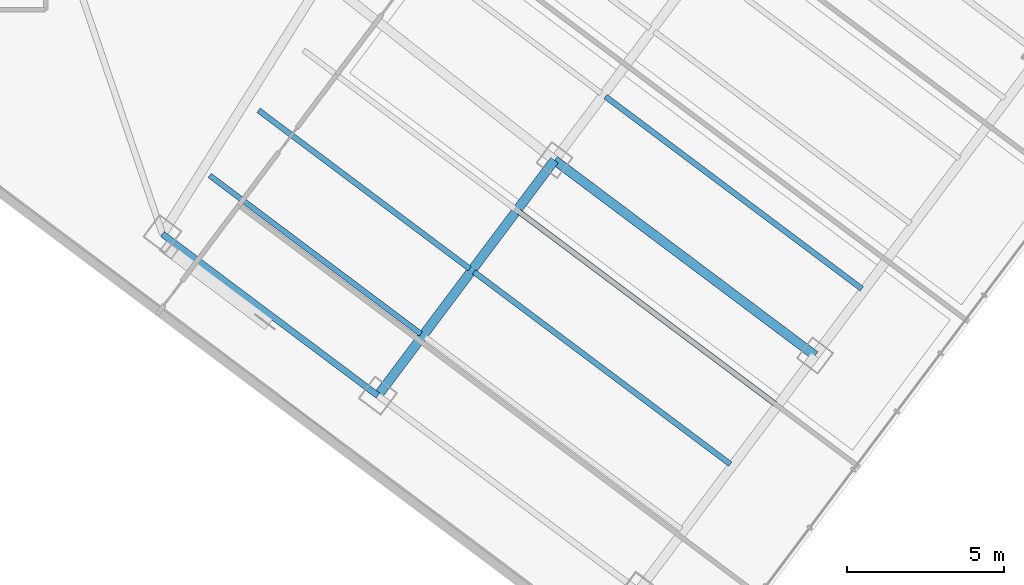
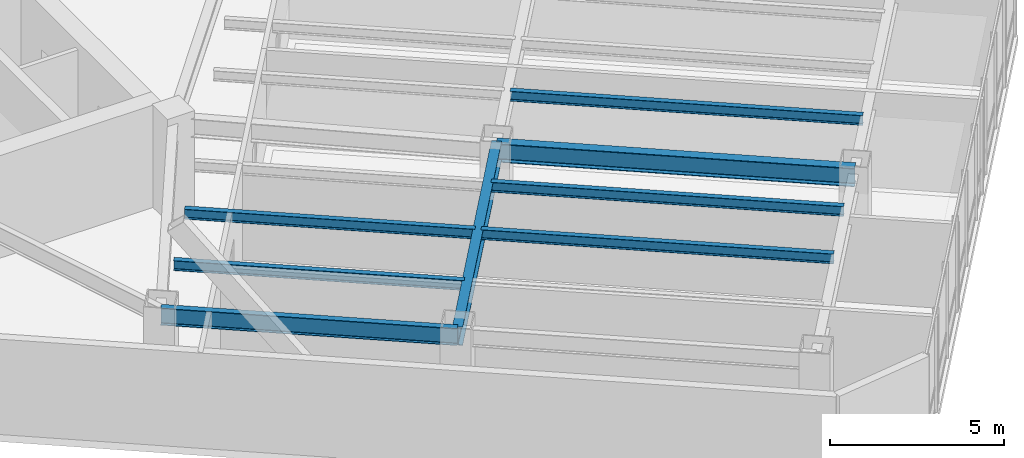
# One storey, part 7 of 31: 8 beams.
"""IFC4 building model written with IfcOpenShell, lengths in metres."""

from ifc_helpers import new_model, si_unit, direction, frame, origin, origin_2d, place, context, subcontext, project, spatial, i_section, extrude, material, material_profile, profile_set, type_object, element, save


model = new_model("IFC4")

# Units and contexts
model_context = context("Model", 3, precision=1e-05, world=origin(), true_north=direction((0.0, 1.0)))
body_context = subcontext(model_context, "Body", "Model", "MODEL_VIEW")
ifc_project = project(units=[si_unit("LENGTHUNIT", "METRE"), si_unit("AREAUNIT", "SQUARE_METRE"), si_unit("VOLUMEUNIT", "CUBIC_METRE"), si_unit("PLANEANGLEUNIT", "RADIAN"), si_unit("MASSUNIT", "GRAM", prefix="KILO")], contexts=[model_context])

# Site, building, storey
site_placement = place(None, origin())
site = spatial("IfcSite", under=ifc_project, at=site_placement, CompositionType="ELEMENT")
building_placement = place(site_placement, origin())
building = spatial("IfcBuilding", under=site, at=building_placement, Name="Hatsunagi Terrace Concourse", CompositionType="ELEMENT")
storey_placement = place(building_placement, frame((0.0, 0.0, 122.85009765625)))
storey = spatial("IfcBuildingStorey", under=building, at=storey_placement, Name="L32", CompositionType="ELEMENT", Elevation=122.85009765625)

# Beams
ifc_material_1 = material(Name="Steel SN490B", Category="steel")
ifc_material_profile_1 = material_profile(ifc_material_1, i_section(OverallWidth=0.175048828125, OverallDepth=0.35009765625, WebThickness=0.007080078125, FlangeThickness=0.010986328125, FilletRadius=0.012939453125, at=origin_2d()), Name="H-350x175x7x11")
ifc_profile_set_1 = profile_set([ifc_material_profile_1], Name="Steel SN490B")
beam_type_1 = type_object("IfcBeamType", Name="HotelJoist_H_350x175", PredefinedType="JOIST", material=ifc_profile_set_1)
for number, where, z_axis, x_axis, name in (
    (1, (40.18798828125, 17.908935546875, 3.1748046875), (0.800003475366, -0.59999536615, 0.0), (0.59999536615, 0.800003475366, 0.0), "Beam J-02 J-L32-SE-2-46"),
    (2, (41.748046875, 19.989013671875, 3.1748046875), (0.799989573921, -0.600013901187, 0.0), (0.600013901187, 0.799989573921, 0.0), "Beam J-02 J-L32-SE-2-72"),
):
    element("IfcBeam", number, at=place(storey_placement, frame(where, z_axis=z_axis, x_axis=x_axis)), inside=storey, type_object=beam_type_1, Name=name, PredefinedType="JOIST", context=body_context, shape_type="SweptSolid", body=[
        extrude(i_section(OverallWidth=0.175048828125, OverallDepth=0.35009765625, WebThickness=0.007080078125, FlangeThickness=0.010986328125, FilletRadius=0.012939453125, at=origin_2d()), origin(), (0.0, 0.0, 1.0), 8.429931640625),
    ])
beam_1_placement = place(storey_placement, frame((48.6279296875, 14.8291015625, 3.1748046875), z_axis=(0.799994272423, -0.600007636694, 0.0), x_axis=(0.600007636694, 0.799994272423, 0.0)))
element("IfcBeam", 3, at=beam_1_placement, inside=storey, type_object=beam_type_1, Name="Beam J-02 J-L32-SE-3-72", PredefinedType="JOIST", context=body_context, shape_type="SweptSolid", body=[
    extrude(i_section(OverallWidth=0.175048828125, OverallDepth=0.35009765625, WebThickness=0.007080078125, FlangeThickness=0.010986328125, FilletRadius=0.012939453125, at=origin_2d()), origin(), (0.0, 0.0, 1.0), 10.230224609375),
])
beam_2_placement = place(storey_placement, frame((50.068115234375, 16.7490234375, 3.1748046875), z_axis=(0.799997136125, -0.600003818481, 0.0), x_axis=(0.600003818481, 0.799997136125, 0.0)))
element("IfcBeam", 4, at=beam_2_placement, inside=storey, type_object=beam_type_1, Name="Beam J-02 J-L32-SE-3-96", PredefinedType="JOIST", context=body_context, shape_type="SweptSolid", body=[
    extrude(i_section(OverallWidth=0.175048828125, OverallDepth=0.35009765625, WebThickness=0.007080078125, FlangeThickness=0.010986328125, FilletRadius=0.012939453125, at=origin_2d()), origin(), (0.0, 0.0, 1.0), 10.229736328125),
])
beam_3_placement = place(storey_placement, frame((52.827880859375, 20.428955078125, 3.1748046875), z_axis=(0.800005727586, -0.599992363142, 0.0), x_axis=(0.599992363142, 0.800005727586, 0.0)))
element("IfcBeam", 5, at=beam_3_placement, inside=storey, type_object=beam_type_1, Name="Beam J-02 J-L32-SE-3-142", PredefinedType="JOIST", context=body_context, shape_type="SweptSolid", body=[
    extrude(i_section(OverallWidth=0.175048828125, OverallDepth=0.35009765625, WebThickness=0.007080078125, FlangeThickness=0.010986328125, FilletRadius=0.012939453125, at=origin_2d()), origin(), (0.0, 0.0, 1.0), 10.22998046875),
])
ifc_material_2 = material(Name="Steel SN490B", Category="steel")
ifc_material_profile_2 = material_profile(ifc_material_2, i_section(OverallWidth=0.300048828125, OverallDepth=0.64990234375, WebThickness=0.012939453125, FlangeThickness=0.02197265625, FilletRadius=0.01806640625, at=origin_2d()), Name="H-650x300x13x22")
ifc_profile_set_2 = profile_set([ifc_material_profile_2], Name="Steel SN490B")
beam_type_2 = type_object("IfcBeamType", Name="OfficeLowGirder_H_650x300", PredefinedType="BEAM", material=ifc_profile_set_2)
beam_4_placement = place(storey_placement, frame((45.56005859375, 10.8798828125, 3.02490234375), z_axis=(0.599991688754, 0.800006233367, 0.0), x_axis=(-0.800006233367, 0.599991688754, 0.0)))
element("IfcBeam", 6, at=beam_4_placement, inside=storey, type_object=beam_type_2, Name="Beam G-05 BM-L32-SET-2A", PredefinedType="BEAM", context=body_context, shape_type="SweptSolid", body=[
    extrude(i_section(OverallWidth=0.300048828125, OverallDepth=0.64990234375, WebThickness=0.012939453125, FlangeThickness=0.02197265625, FilletRadius=0.01806640625, at=origin_2d()), origin(), (0.0, 0.0, 1.0), 9.39990234375),
])
beam_5_placement = place(storey_placement, frame((51.199951171875, 18.39990234375, 3.02490234375), z_axis=(0.800002816985, -0.599996244001, 0.0), x_axis=(0.599996244001, 0.800002816985, 0.0)))
element("IfcBeam", 7, at=beam_5_placement, inside=storey, type_object=beam_type_2, Name="Beam G-05 BM-L32-SE-M3", PredefinedType="BEAM", context=body_context, shape_type="SweptSolid", body=[
    extrude(i_section(OverallWidth=0.300048828125, OverallDepth=0.64990234375, WebThickness=0.012939453125, FlangeThickness=0.02197265625, FilletRadius=0.01806640625, at=origin_2d()), origin(), (0.0, 0.0, 1.0), 10.400146484375),
])
ifc_material_3 = material(Name="Steel SN490B", Category="steel")
ifc_material_profile_3 = material_profile(ifc_material_3, i_section(OverallWidth=0.199951171875, OverallDepth=0.60009765625, WebThickness=0.010986328125, FlangeThickness=0.01708984375, FilletRadius=0.01806640625, at=origin_2d()), Name="H-600x200x11x17")
ifc_profile_set_3 = profile_set([ifc_material_profile_3], Name="Steel SN490B")
beam_type_3 = type_object("IfcBeamType", Name="PerimeterSpandrel_H_600x200", PredefinedType="SPANDREL", material=ifc_profile_set_3)
beam_6_placement = place(storey_placement, frame((38.679931640625, 16.0400390625, 3.0498046875), z_axis=(0.799996593451, -0.600004542038, 0.0), x_axis=(0.600004542038, 0.799996593451, 0.0)))
element("IfcBeam", 8, at=beam_6_placement, inside=storey, type_object=beam_type_3, Name="Beam SP-01 BM-L32-SE-SW2", PredefinedType="SPANDREL", context=body_context, shape_type="SweptSolid", body=[
    extrude(i_section(OverallWidth=0.199951171875, OverallDepth=0.60009765625, WebThickness=0.010986328125, FlangeThickness=0.01708984375, FilletRadius=0.01806640625, at=origin_2d()), origin(), (0.0, 0.0, 1.0), 8.60009765625),
])

save(model, "model.ifc")
